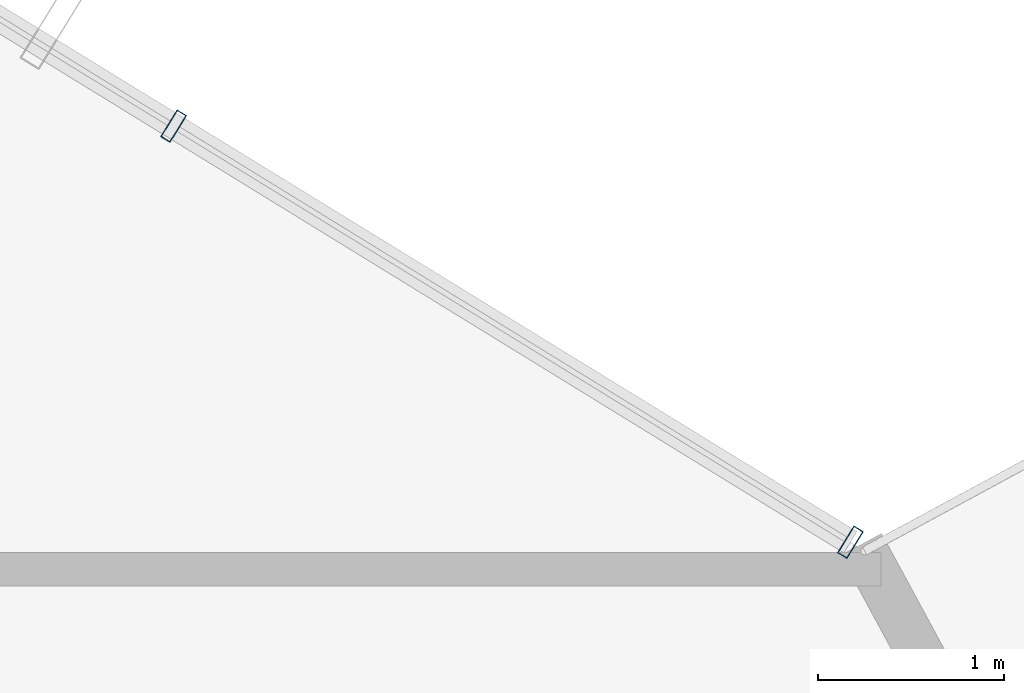
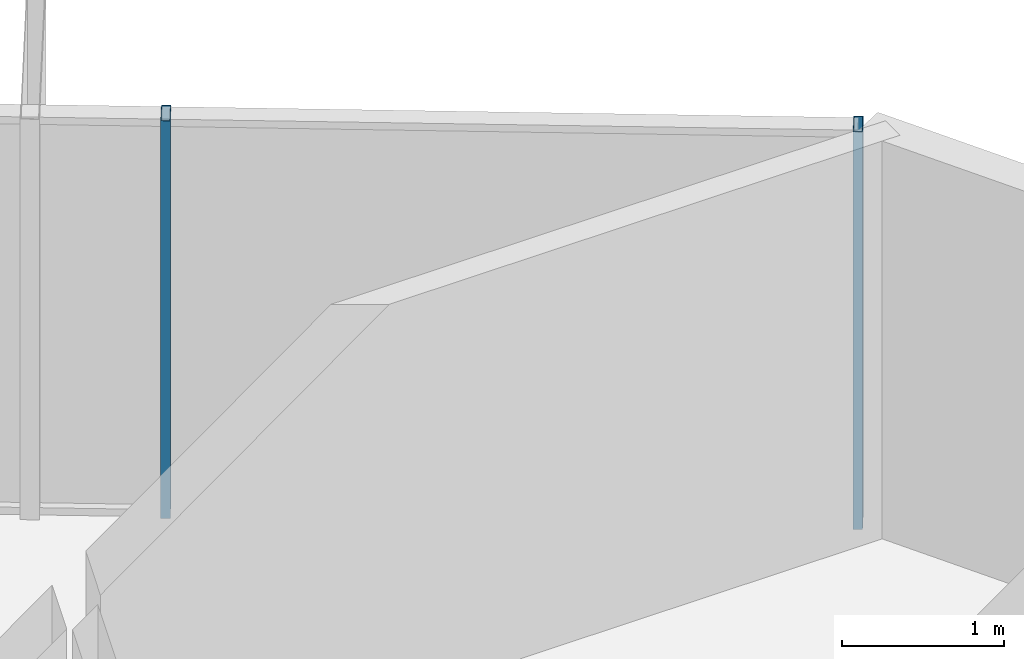
# One storey, part 24 of 30: 2 members, 1 element without a shape of its own.
"""IFC4 building model written with IfcOpenShell, lengths in metres."""

from ifc_helpers import new_model, si_unit, direction, frame, origin, origin_2d, place, context, subcontext, project, spatial, hollow_rectangle, extrude, source, transform, mapped, material, layer, layer_set, material_profile, profile_set, type_object, element, aggregate, save


model = new_model("IFC4")

# Units and contexts
model_context = context("Model", 3, precision=1e-05, world=origin(), true_north=direction((0.0, 1.0)))
body_context = subcontext(model_context, "Body", "Model", "MODEL_VIEW")
ifc_project = project(units=[si_unit("LENGTHUNIT", "METRE"), si_unit("AREAUNIT", "SQUARE_METRE"), si_unit("VOLUMEUNIT", "CUBIC_METRE"), si_unit("PLANEANGLEUNIT", "RADIAN"), si_unit("MASSUNIT", "GRAM", prefix="KILO")], contexts=[model_context])

# Site, building, storey
site_placement = place(None, origin())
site = spatial("IfcSite", under=ifc_project, at=site_placement, CompositionType="ELEMENT")
building_placement = place(site_placement, origin())
building = spatial("IfcBuilding", under=site, at=building_placement, Name="Veraguas Prism Commons", CompositionType="ELEMENT")
storey_placement = place(building_placement, frame((0.0, 0.0, 123.0)))
storey = spatial("IfcBuildingStorey", under=building, at=storey_placement, Name="L34", CompositionType="ELEMENT", Elevation=123.0)

# Curtain wall, members
ifc_material = material(Name="Anodised aluminium EN AW-6063 T6", Category="aluminium")
ifc_layer = layer(ifc_material, 0.169921875, Name="Unitised Flush Curtain Wall Zone 2", Category="aluminium")
ifc_layer_set = layer_set([ifc_layer], Name="Anodised aluminium EN AW-6063 T6")
curtain_wall_type = type_object("IfcCurtainWallType", Name="Unitised Flush Curtain Wall Zone 2", PredefinedType="NOTDEFINED", material=ifc_layer_set)
curtain_wall_placement = place(storey_placement, origin())
curtain_wall = element("IfcCurtainWall", 1, at=curtain_wall_placement, inside=storey, type_object=curtain_wall_type, Name="Tower Facade Curtain Wall L34-F1", PredefinedType="NOTDEFINED")
ifc_material_profile = material_profile(ifc_material, hollow_rectangle(XDim=0.06005859375, YDim=0.169921875, WallThickness=0.00390625, at=origin_2d()), Name="AL60X170X4")
ifc_profile_set = profile_set([ifc_material_profile], Name="Anodised aluminium EN AW-6063 T6")
member_type = type_object("IfcMemberType", Name="Curtain Wall Mullion Lower AL 60x170x4", PredefinedType="MULLION", material=ifc_profile_set)
shared_shape = source(origin(), body_context, "Body", "SweptSolid", [
    extrude(hollow_rectangle(XDim=0.06005859375, YDim=0.169921875, WallThickness=0.00390625, at=origin_2d()), origin(), (0.0, 0.0, 1.0), 3.0),
])
member_1_placement = place(storey_placement, frame((41.361083984375, 35.8447265625, 0.0), z_axis=(0.0, 0.0, 1.0), x_axis=(-0.851907959812, 0.523691538989, 0.0)))
member_1 = element("IfcMember", 2, at=member_1_placement, type_object=member_type, Name="CW-Z2 Mullion 1", PredefinedType="MULLION", context=body_context, shape_type="MappedRepresentation", body=[
    mapped(shared_shape, transform((0.0, 0.0, 0.0), scale=1.0)),
])
member_2_placement = place(storey_placement, frame((37.716064453125, 38.08544921875, 0.0), z_axis=(0.0, 0.0, 1.0), x_axis=(-0.851907959812, 0.523691538989, 0.0)))
member_2 = element("IfcMember", 3, at=member_2_placement, type_object=member_type, Name="CW-Z2 Mullion 2", PredefinedType="MULLION", context=body_context, shape_type="MappedRepresentation", body=[
    mapped(shared_shape, transform((0.0, 0.0, 0.0), scale=1.0)),
])
aggregate(curtain_wall, [member_1, member_2])

save(model, "model.ifc")
